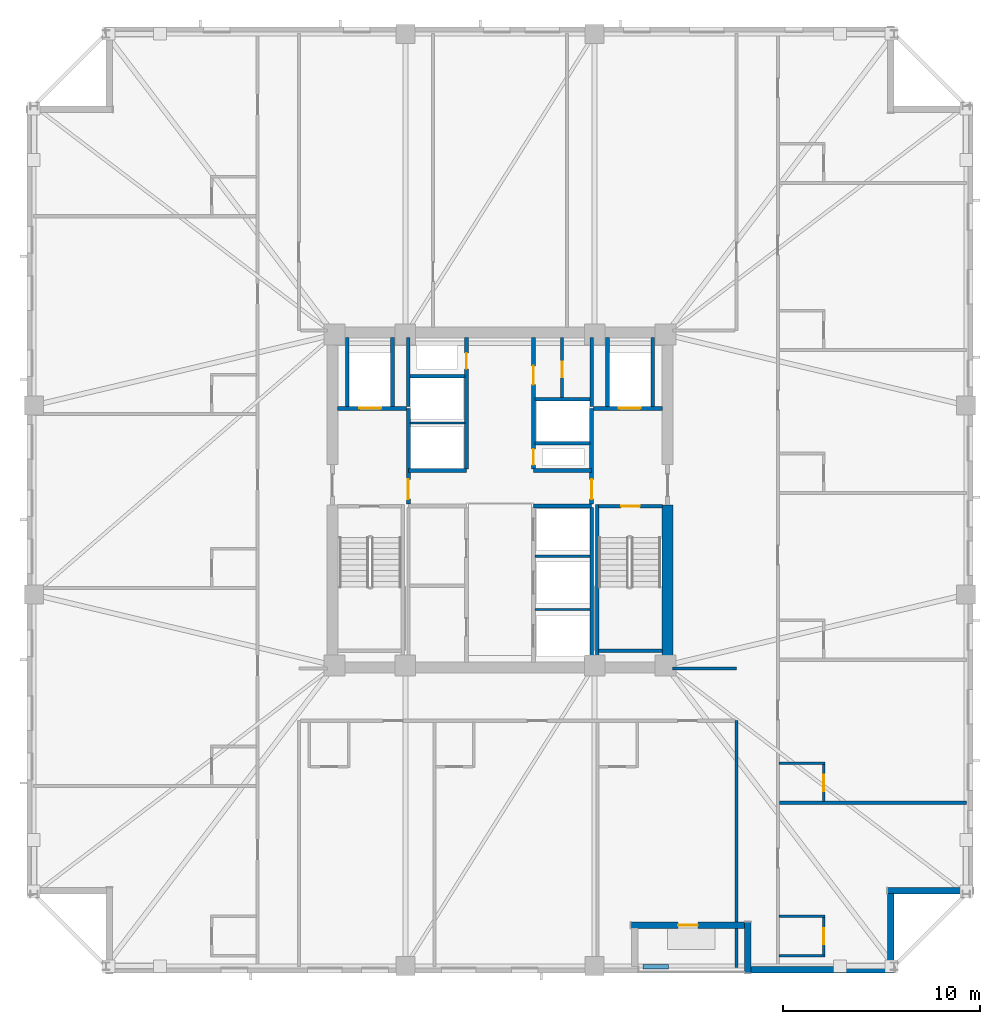
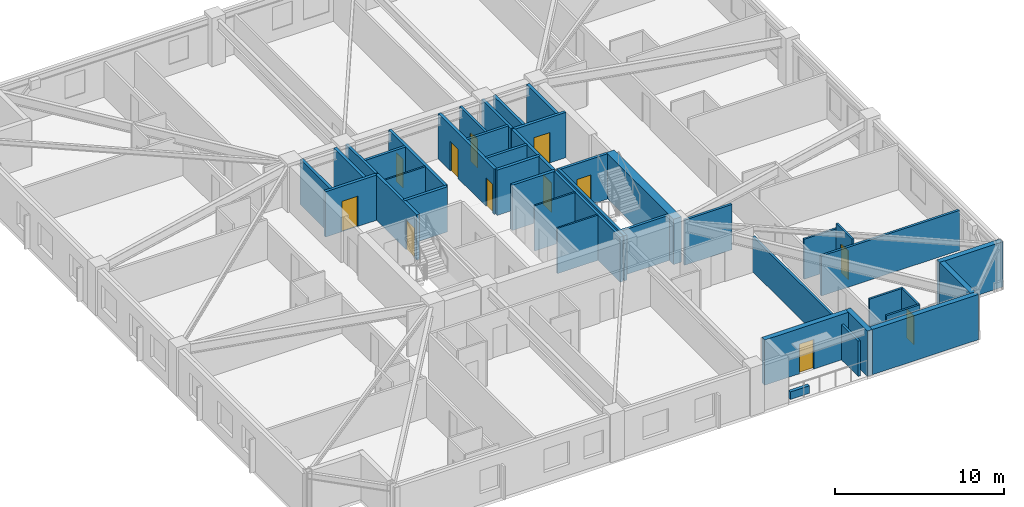
# One storey, part 4 of 11: 41 walls, 12 doors, 12 openings.
"""IFC4 building model written with IfcOpenShell, lengths in metres."""

from ifc_helpers import new_model, si_unit, direction, frame, frame_2d, origin, place, context, subcontext, project, spatial, rectangle, extrude, material, layer, layer_set, type_object, element, fill, save


model = new_model("IFC4")

# Units and contexts
model_context = context("Model", 3, precision=1e-05, world=origin(), true_north=direction((0.0, 1.0)))
body_context = subcontext(model_context, "Body", "Model", "MODEL_VIEW")
ifc_project = project(units=[si_unit("LENGTHUNIT", "METRE"), si_unit("AREAUNIT", "SQUARE_METRE"), si_unit("VOLUMEUNIT", "CUBIC_METRE"), si_unit("PLANEANGLEUNIT", "RADIAN"), si_unit("MASSUNIT", "GRAM", prefix="KILO")], contexts=[model_context])

# Site, building, storey
site_placement = place(None, origin())
site = spatial("IfcSite", under=ifc_project, at=site_placement, CompositionType="ELEMENT")
building_placement = place(site_placement, origin())
building = spatial("IfcBuilding", under=site, at=building_placement, Name="Cairnveth Concourse Tower", CompositionType="ELEMENT")
storey_placement = place(building_placement, frame((0.0, 0.0, 169.0)))
storey = spatial("IfcBuildingStorey", under=building, at=storey_placement, Name="L46", CompositionType="ELEMENT", Elevation=169.0)

# Wall, opening, door
ifc_material_1 = material(Name="Gypsum Plasterboard Partition", Category="gypsum")
ifc_layer_1 = layer(ifc_material_1, 0.159912109375)
ifc_layer_set_1 = layer_set([ifc_layer_1], Name="Gypsum Plasterboard Partition")
wall_type_1 = type_object("IfcWallType", Name="ACOUSTIC PARTY WALL 180", PredefinedType="PARTITIONING", material=ifc_layer_set_1)
wall_1_placement = place(storey_placement, frame((55.14990234375, 44.195068359375, 0.0), z_axis=(0.0, 0.0, 1.0), x_axis=(0.0, 1.0, 0.0)))
wall_1 = element("IfcWall", 1, at=wall_1_placement, inside=storey, type_object=wall_type_1, Name="Interior Wall IW-L46-036", PredefinedType="PARTITIONING", context=body_context, shape_type="SweptSolid", body=[
    extrude(rectangle(XDim=3.044921875, YDim=0.159912109375, at=frame_2d((1.5224609375, 0.0))), origin(), (0.0, 0.0, 1.0), 3.280029296875),
])
opening_1_placement = place(wall_1_placement, frame((1.02490234375, 0.0, 0.0)))
opening_1 = element("IfcOpeningElement", 2, at=opening_1_placement, cuts=wall_1, Name="Opening ID23", PredefinedType="OPENING", context=body_context, shape_type="SweptSolid", body=[
    extrude(rectangle(XDim=0.800048828125, YDim=2.10009765625, at=frame_2d((0.39990234375, 1.050048828125))), frame((0.0, 0.08984375, 0.0), z_axis=(0.0, -1.0, 0.0), x_axis=(1.0, 0.0, 0.0)), (0.0, 0.0, 1.0), 0.179931640625),
])
ifc_material_2 = material(Name="Steel Grade 350", Category="steel")
door_type_1 = type_object("IfcDoorType", Name="CORE SERVICE DOOR 800X2100", OperationType="NOTDEFINED", PredefinedType="DOOR", material=ifc_material_2)
door_1_placement = place(opening_1_placement, origin())
door_1 = element("IfcDoor", 3, at=door_1_placement, inside=storey, type_object=door_type_1, Name="NE Linen Closet Door L46", OperationType="SINGLE_SWING_LEFT", OverallHeight=2.10009765625, OverallWidth=0.800048828125, PredefinedType="DOOR", context=body_context, shape_type="SweptSolid", body=[
    extrude(rectangle(XDim=0.800048828125, YDim=2.10009765625, at=frame_2d((0.39990234375, 1.050048828125))), frame((0.0, 0.02490234375, 0.0), z_axis=(0.0, -1.0, 0.0), x_axis=(1.0, 0.0, 0.0)), (0.0, 0.0, 1.0), 0.050048828125),
])
fill(opening_1, door_1)

# Walls
wall_2_placement = place(storey_placement, frame((64.0, 15.27001953125, 0.0), z_axis=(0.0, 0.0, 1.0), x_axis=(0.0, 1.0, 0.0)))
element("IfcWall", 4, at=wall_2_placement, inside=storey, type_object=wall_type_1, Name="Interior Wall IW-L46-043", PredefinedType="PARTITIONING", context=body_context, shape_type="SweptSolid", body=[
    extrude(rectangle(XDim=12.530029296875, YDim=0.159912109375, at=frame_2d((6.26513671875, 0.0))), origin(), (0.0, 0.0, 1.0), 2.554931640625),
])
wall_3_placement = place(storey_placement, frame((60.764892578125, 30.449951171875, 0.0), z_axis=(0.0, 0.0, 1.0), x_axis=(1.0, 0.0, 0.0)))
element("IfcWall", 5, at=wall_3_placement, inside=storey, type_object=wall_type_1, Name="Interior Wall IW-L46-045", PredefinedType="PARTITIONING", context=body_context, shape_type="SweptSolid", body=[
    extrude(rectangle(XDim=3.235107421875, YDim=0.159912109375, at=frame_2d((1.61767578125, 0.0))), origin(), (0.0, 0.0, 1.0), 3.280029296875),
])
wall_4_placement = place(storey_placement, frame((66.179931640625, 23.63916015625, 0.0), z_axis=(0.0, 0.0, 1.0), x_axis=(1.0, 0.0, 0.0)))
element("IfcWall", 6, at=wall_4_placement, inside=storey, type_object=wall_type_1, Name="Interior Wall IW-L46-077", PredefinedType="PARTITIONING", context=body_context, shape_type="SweptSolid", body=[
    extrude(rectangle(XDim=9.4951171875, YDim=0.159912109375, at=frame_2d((4.74755859375, 0.0))), origin(), (0.0, 0.0, 1.0), 2.89599609375),
])
ifc_material_3 = material(Name="Concrete N80 (80 MPa)", Category="concrete")
ifc_layer_2 = layer(ifc_material_3, 0.550048828125)
ifc_layer_set_2 = layer_set([ifc_layer_2], Name="Concrete N80 (80 MPa)")
wall_type_2 = type_object("IfcWallType", Name="CORE SHEAR WALL 550", PredefinedType="SHEAR", material=ifc_layer_set_2)
wall_5_placement = place(storey_placement, frame((60.5, 30.764892578125, 0.0), z_axis=(0.0, 0.0, 1.0), x_axis=(0.0, 1.0, 0.0)))
element("IfcWall", 7, at=wall_5_placement, inside=storey, type_object=wall_type_2, Name="Core East Shear Wall S L46", PredefinedType="SHEAR", context=body_context, shape_type="SweptSolid", body=[
    extrude(rectangle(XDim=7.985107421875, YDim=0.550048828125, at=frame_2d((3.99267578125, 0.0))), origin(), (0.0, 0.0, 1.0), 3.280029296875),
])
ifc_material_4 = material(Name="Concrete N50 (50 MPa)", Category="concrete")
ifc_layer_3 = layer(ifc_material_4, 0.179931640625)
ifc_layer_set_3 = layer_set([ifc_layer_3], Name="Concrete N50 (50 MPa)")
wall_type_3 = type_object("IfcWallType", Name="FIRE SHAFT WALL 180", PredefinedType="SOLIDWALL", material=ifc_layer_set_3)
wall_6_placement = place(storey_placement, frame((56.64990234375, 30.760009765625, 0.0), z_axis=(0.0, 0.0, 1.0), x_axis=(0.0, 1.0, 0.0)))
element("IfcWall", 8, at=wall_6_placement, inside=storey, type_object=wall_type_3, Name="Interior Wall IW-L46-027", PredefinedType="SOLIDWALL", context=body_context, shape_type="SweptSolid", body=[
    extrude(rectangle(XDim=7.85498046875, YDim=0.179931640625, at=frame_2d((3.927490234375, 0.0))), origin(), (0.0, 0.0, 1.0), 3.280029296875),
])
wall_7_placement = place(storey_placement, frame((47.35009765625, 43.735107421875, 0.0), z_axis=(0.0, 0.0, 1.0), x_axis=(0.0, 1.0, 0.0)))
element("IfcWall", 9, at=wall_7_placement, inside=storey, type_object=wall_type_3, Name="Interior Wall IW-L46-030", PredefinedType="SOLIDWALL", context=body_context, shape_type="SweptSolid", body=[
    extrude(rectangle(XDim=3.5048828125, YDim=0.179931640625, at=frame_2d((1.75244140625, 0.0))), origin(), (0.0, 0.0, 1.0), 3.280029296875),
])
wall_8_placement = place(storey_placement, frame((47.425048828125, 45.280029296875, 0.0), z_axis=(0.0, 0.0, 1.0), x_axis=(1.0, 0.0, 0.0)))
element("IfcWall", 10, at=wall_8_placement, inside=storey, type_object=wall_type_3, Name="Interior Wall IW-L46-032", PredefinedType="SOLIDWALL", context=body_context, shape_type="SweptSolid", body=[
    extrude(rectangle(XDim=2.7900390625, YDim=0.179931640625, at=frame_2d((1.39501953125, 0.0))), origin(), (0.0, 0.0, 1.0), 3.280029296875),
])
wall_9_placement = place(storey_placement, frame((56.64990234375, 43.735107421875, 0.0), z_axis=(0.0, 0.0, 1.0), x_axis=(0.0, 1.0, 0.0)))
element("IfcWall", 11, at=wall_9_placement, inside=storey, type_object=wall_type_3, Name="Interior Wall IW-L46-033", PredefinedType="SOLIDWALL", context=body_context, shape_type="SweptSolid", body=[
    extrude(rectangle(XDim=3.5048828125, YDim=0.179931640625, at=frame_2d((1.75244140625, 0.0))), origin(), (0.0, 0.0, 1.0), 3.280029296875),
])
wall_10_placement = place(storey_placement, frame((53.784912109375, 41.8798828125, 0.0), z_axis=(0.0, 0.0, 1.0), x_axis=(1.0, 0.0, 0.0)))
element("IfcWall", 12, at=wall_10_placement, inside=storey, type_object=wall_type_3, Name="Interior Wall IW-L46-034", PredefinedType="SOLIDWALL", context=body_context, shape_type="SweptSolid", body=[
    extrude(rectangle(XDim=2.780029296875, YDim=0.179931640625, at=frame_2d((1.39013671875, 0.0))), origin(), (0.0, 0.0, 1.0), 3.280029296875),
])
wall_11_placement = place(storey_placement, frame((53.784912109375, 44.1201171875, 0.0), z_axis=(0.0, 0.0, 1.0), x_axis=(1.0, 0.0, 0.0)))
element("IfcWall", 13, at=wall_11_placement, inside=storey, type_object=wall_type_3, Name="Interior Wall IW-L46-035", PredefinedType="SOLIDWALL", context=body_context, shape_type="SweptSolid", body=[
    extrude(rectangle(XDim=2.7900390625, YDim=0.179931640625, at=frame_2d((1.39501953125, 0.0))), origin(), (0.0, 0.0, 1.0), 3.280029296875),
])

# Wall, opening, door
wall_12_placement = place(storey_placement, frame((57.0048828125, 38.68994140625, 0.0), z_axis=(0.0, 0.0, 1.0), x_axis=(1.0, 0.0, 0.0)))
wall_12 = element("IfcWall", 14, at=wall_12_placement, inside=storey, type_object=wall_type_3, Name="Stair ST-2 Shaft Wall NEAR L46", PredefinedType="SOLIDWALL", context=body_context, shape_type="SweptSolid", body=[
    extrude(rectangle(XDim=3.230224609375, YDim=0.179931640625, at=frame_2d((1.615234375, 0.0))), origin(), (0.0, 0.0, 1.0), 3.280029296875),
])
opening_2_placement = place(wall_12_placement, frame((1.139892578125, 0.0, 0.0)))
opening_2 = element("IfcOpeningElement", 15, at=opening_2_placement, cuts=wall_12, Name="Opening ID12", PredefinedType="OPENING", context=body_context, shape_type="SweptSolid", body=[
    extrude(rectangle(XDim=0.949951171875, YDim=2.14990234375, at=frame_2d((0.47509765625, 1.074951171875))), frame((0.0, 0.099853515625, 0.0), z_axis=(0.0, -1.0, 0.0), x_axis=(1.0, 0.0, 0.0)), (0.0, 0.0, 1.0), 0.199951171875),
])
door_type_2 = type_object("IfcDoorType", Name="FIRE STAIR DOOR 950X2150", OperationType="NOTDEFINED", PredefinedType="DOOR", material=ifc_material_2)
door_2_placement = place(opening_2_placement, origin())
door_2 = element("IfcDoor", 16, at=door_2_placement, inside=storey, type_object=door_type_2, Name="Stair ST-2 Fire Door L46", OperationType="SINGLE_SWING_RIGHT", OverallHeight=2.14990234375, OverallWidth=0.949951171875, PredefinedType="DOOR", context=body_context, shape_type="SweptSolid", body=[
    extrude(rectangle(XDim=0.949951171875, YDim=2.14990234375, at=frame_2d((0.47509765625, 1.074951171875))), frame((0.0, 0.02490234375, 0.0), z_axis=(0.0, -1.0, 0.0), x_axis=(1.0, 0.0, 0.0)), (0.0, 0.0, 1.0), 0.050048828125),
])
fill(opening_2, door_2)

# Walls
wall_13_placement = place(storey_placement, frame((57.0048828125, 31.360107421875, 0.0), z_axis=(0.0, 0.0, 1.0), x_axis=(1.0, 0.0, 0.0)))
element("IfcWall", 17, at=wall_13_placement, inside=storey, type_object=wall_type_3, Name="Stair ST-2 Shaft Wall FAR L46", PredefinedType="SOLIDWALL", context=body_context, shape_type="SweptSolid", body=[
    extrude(rectangle(XDim=3.230224609375, YDim=0.179931640625, at=frame_2d((1.615234375, 0.0))), origin(), (0.0, 0.0, 1.0), 3.280029296875),
])
wall_14_placement = place(storey_placement, frame((56.929931640625, 38.780029296875, 0.0), z_axis=(0.0, 0.0, 1.0), x_axis=(0.0, -1.0, 0.0)))
element("IfcWall", 18, at=wall_14_placement, inside=storey, type_object=wall_type_3, Name="Stair ST-2 Shaft Wall LEFT L46", PredefinedType="SOLIDWALL", context=body_context, shape_type="SweptSolid", body=[
    extrude(rectangle(XDim=8.01708984375, YDim=0.179931640625, at=frame_2d((4.008544921875, 0.0))), origin(), (0.0, 0.0, 1.0), 3.280029296875),
])
ifc_layer_4 = layer(ifc_material_4, 0.199951171875)
ifc_layer_set_4 = layer_set([ifc_layer_4], Name="Concrete N50 (50 MPa)")
wall_type_4 = type_object("IfcWallType", Name="FIRE SHAFT WALL 200", PredefinedType="SOLIDWALL", material=ifc_layer_set_4)
for number, where, z_axis, x_axis, name in (
    (19, (47.35009765625, 40.5, 0.0), (0.0, 0.0, 1.0), (1.0, 0.0, 0.0), "Interior Wall IW-L46-008"),
    (20, (53.699951171875, 38.699951171875, 0.0), (0.0, 0.0, 1.0), (1.0, 0.0, 0.0), "Interior Wall IW-L46-009"),
    (21, (53.699951171875, 40.5, 0.0), (0.0, 0.0, 1.0), (1.0, 0.0, 0.0), "Interior Wall IW-L46-010"),
):
    element("IfcWall", number, at=place(storey_placement, frame(where, z_axis=z_axis, x_axis=x_axis)), inside=storey, type_object=wall_type_4, Name=name, PredefinedType="SOLIDWALL", context=body_context, shape_type="SweptSolid", body=[
        extrude(rectangle(XDim=2.949951171875, YDim=0.199951171875, at=frame_2d((1.47509765625, 0.0))), origin(), (0.0, 0.0, 1.0), 3.280029296875),
    ])

# Wall, opening, door
wall_15_placement = place(storey_placement, frame((50.300048828125, 40.5849609375, 0.0), z_axis=(0.0, 0.0, 1.0), x_axis=(0.0, 1.0, 0.0)))
wall_15 = element("IfcWall", 22, at=wall_15_placement, inside=storey, type_object=wall_type_4, Name="Interior Wall IW-L46-013", PredefinedType="SOLIDWALL", context=body_context, shape_type="SweptSolid", body=[
    extrude(rectangle(XDim=6.655029296875, YDim=0.199951171875, at=frame_2d((3.32763671875, 0.0))), origin(), (0.0, 0.0, 1.0), 3.280029296875),
])
opening_3_placement = place(wall_15_placement, frame((5.06494140625, 0.0, 0.0)))
opening_3 = element("IfcOpeningElement", 23, at=opening_3_placement, cuts=wall_15, Name="Opening ID24", PredefinedType="OPENING", context=body_context, shape_type="SweptSolid", body=[
    extrude(rectangle(XDim=0.800048828125, YDim=2.080078125, at=frame_2d((0.39990234375, 1.0400390625))), frame((0.0, 0.10986328125, 0.0), z_axis=(0.0, -1.0, 0.0), x_axis=(1.0, 0.0, 0.0)), (0.0, 0.0, 1.0), 0.219970703125),
])
door_type_3 = type_object("IfcDoorType", Name="RISER ACCESS DOOR 800X2100", OperationType="NOTDEFINED", PredefinedType="DOOR", material=ifc_material_2)
door_3_placement = place(opening_3_placement, origin())
door_3 = element("IfcDoor", 24, at=door_3_placement, inside=storey, type_object=door_type_3, Name="NW Electrical Riser Access Door L46", OperationType="SINGLE_SWING_RIGHT", OverallHeight=2.080078125, OverallWidth=0.800048828125, PredefinedType="DOOR", context=body_context, shape_type="SweptSolid", body=[
    extrude(rectangle(XDim=0.800048828125, YDim=2.080078125, at=frame_2d((0.39990234375, 1.0400390625))), frame((0.0, 0.02490234375, 0.0), z_axis=(0.0, -1.0, 0.0), x_axis=(1.0, 0.0, 0.0)), (0.0, 0.0, 1.0), 0.050048828125),
])
fill(opening_3, door_3)

# Wall, openings, doors
wall_16_placement = place(storey_placement, frame((53.699951171875, 40.5849609375, 0.0), z_axis=(0.0, 0.0, 1.0), x_axis=(0.0, 1.0, 0.0)))
wall_16 = element("IfcWall", 25, at=wall_16_placement, inside=storey, type_object=wall_type_4, Name="Interior Wall IW-L46-014", PredefinedType="SOLIDWALL", context=body_context, shape_type="SweptSolid", body=[
    extrude(rectangle(XDim=6.655029296875, YDim=0.199951171875, at=frame_2d((3.32763671875, 0.0))), origin(), (0.0, 0.0, 1.0), 3.280029296875),
])
opening_4_placement = place(wall_16_placement, frame((0.195068359375, 0.0, 0.0)))
opening_4 = element("IfcOpeningElement", 26, at=opening_4_placement, cuts=wall_16, Name="Opening ID24", PredefinedType="OPENING", context=body_context, shape_type="SweptSolid", body=[
    extrude(rectangle(XDim=0.800048828125, YDim=2.080078125, at=frame_2d((0.39990234375, 1.0400390625))), frame((0.0, 0.10986328125, 0.0), z_axis=(0.0, -1.0, 0.0), x_axis=(1.0, 0.0, 0.0)), (0.0, 0.0, 1.0), 0.219970703125),
])
opening_5_placement = place(wall_16_placement, frame((4.264892578125, 0.0, 0.0)))
opening_5 = element("IfcOpeningElement", 27, at=opening_5_placement, cuts=wall_16, Name="Opening ID25", PredefinedType="OPENING", context=body_context, shape_type="SweptSolid", body=[
    extrude(rectangle(XDim=0.949951171875, YDim=2.1201171875, at=frame_2d((0.47509765625, 1.06005859375))), frame((0.0, 0.10986328125, 0.0), z_axis=(0.0, -1.0, 0.0), x_axis=(1.0, 0.0, 0.0)), (0.0, 0.0, 1.0), 0.219970703125),
])
door_type_4 = type_object("IfcDoorType", Name="CORE ACCESSIBLE FIRE DOOR 950X2120", OperationType="NOTDEFINED", PredefinedType="DOOR", material=ifc_material_2)
door_4_placement = place(opening_5_placement, origin())
door_4 = element("IfcDoor", 28, at=door_4_placement, inside=storey, type_object=door_type_4, Name="Core NE Restroom Door L46", OperationType="SINGLE_SWING_RIGHT", OverallHeight=2.1201171875, OverallWidth=0.949951171875, PredefinedType="DOOR", context=body_context, shape_type="SweptSolid", body=[
    extrude(rectangle(XDim=0.949951171875, YDim=2.1201171875, at=frame_2d((0.47509765625, 1.06005859375))), frame((0.0, 0.02490234375, 0.0), z_axis=(0.0, -1.0, 0.0), x_axis=(1.0, 0.0, 0.0)), (0.0, 0.0, 1.0), 0.050048828125),
])
fill(opening_5, door_4)
door_5_placement = place(opening_4_placement, origin())
door_5 = element("IfcDoor", 29, at=door_5_placement, inside=storey, type_object=door_type_3, Name="Hydraulic Riser Door L46", OperationType="SINGLE_SWING_LEFT", OverallHeight=2.080078125, OverallWidth=0.800048828125, PredefinedType="DOOR", context=body_context, shape_type="SweptSolid", body=[
    extrude(rectangle(XDim=0.800048828125, YDim=2.080078125, at=frame_2d((0.39990234375, 1.0400390625))), frame((0.0, 0.02490234375, 0.0), z_axis=(0.0, -1.0, 0.0), x_axis=(1.0, 0.0, 0.0)), (0.0, 0.0, 1.0), 0.050048828125),
])
fill(opening_4, door_5)

# Wall, opening, door
wall_17_placement = place(storey_placement, frame((47.35009765625, 38.784912109375, 0.0), z_axis=(0.0, 0.0, 1.0), x_axis=(0.0, 1.0, 0.0)))
wall_17 = element("IfcWall", 30, at=wall_17_placement, inside=storey, type_object=wall_type_4, Name="Interior Wall IW-L46-016", PredefinedType="SOLIDWALL", context=body_context, shape_type="SweptSolid", body=[
    extrude(rectangle(XDim=4.864990234375, YDim=0.199951171875, at=frame_2d((2.4326171875, 0.0))), origin(), (0.0, 0.0, 1.0), 3.280029296875),
])
opening_6_placement = place(wall_17_placement, frame((0.264892578125, 0.0, 0.0)))
opening_6 = element("IfcOpeningElement", 31, at=opening_6_placement, cuts=wall_17, Name="Opening ID07", PredefinedType="OPENING", context=body_context, shape_type="SweptSolid", body=[
    extrude(rectangle(XDim=1.0, YDim=2.14990234375, at=frame_2d((0.5, 1.074951171875))), frame((0.0, 0.10986328125, 0.0), z_axis=(0.0, -1.0, 0.0), x_axis=(1.0, 0.0, 0.0)), (0.0, 0.0, 1.0), 0.219970703125),
])
door_type_5 = type_object("IfcDoorType", Name="FIRE CORRIDOR DOOR 1000X2150", OperationType="NOTDEFINED", PredefinedType="DOOR", material=ifc_material_2)
door_6_placement = place(opening_6_placement, origin())
door_6 = element("IfcDoor", 32, at=door_6_placement, inside=storey, type_object=door_type_5, Name="FF Lobby West to Lift Lobby Door L46", OperationType="SINGLE_SWING_RIGHT", OverallHeight=2.14990234375, OverallWidth=1.0, PredefinedType="DOOR", context=body_context, shape_type="SweptSolid", body=[
    extrude(rectangle(XDim=1.0, YDim=2.14990234375, at=frame_2d((0.5, 1.074951171875))), frame((0.0, 0.02490234375, 0.0), z_axis=(0.0, -1.0, 0.0), x_axis=(1.0, 0.0, 0.0)), (0.0, 0.0, 1.0), 0.050048828125),
])
fill(opening_6, door_6)

wall_18_placement = place(storey_placement, frame((43.760009765625, 43.64990234375, 0.0), z_axis=(0.0, 0.0, 1.0), x_axis=(1.0, 0.0, 0.0)))
wall_18 = element("IfcWall", 33, at=wall_18_placement, inside=storey, type_object=wall_type_4, Name="Interior Wall IW-L46-017", PredefinedType="SOLIDWALL", context=body_context, shape_type="SweptSolid", body=[
    extrude(rectangle(XDim=3.5048828125, YDim=0.199951171875, at=frame_2d((1.75244140625, 0.0))), origin(), (0.0, 0.0, 1.0), 3.280029296875),
])
opening_7_placement = place(wall_18_placement, frame((1.110107421875, 0.0, 0.0)))
opening_7 = element("IfcOpeningElement", 34, at=opening_7_placement, cuts=wall_18, Name="Opening LD-1", PredefinedType="OPENING", context=body_context, shape_type="SweptSolid", body=[
    extrude(rectangle(XDim=1.10009765625, YDim=2.199951171875, at=frame_2d((0.550048828125, 1.10009765625))), frame((0.0, 0.10986328125, 0.0), z_axis=(0.0, -1.0, 0.0), x_axis=(1.0, 0.0, 0.0)), (0.0, 0.0, 1.0), 0.219970703125),
])
ifc_material_5 = material(Name="Architectural Bronze Anodised Aluminium 6063-T6", Category="aluminium")
door_type_6 = type_object("IfcDoorType", Name="LIFT LANDING DOOR 1100X2200", OperationType="SLIDING_TO_LEFT", PredefinedType="DOOR", material=ifc_material_5)
door_7_placement = place(opening_7_placement, origin())
door_7 = element("IfcDoor", 35, at=door_7_placement, inside=storey, type_object=door_type_6, Name="Lift FFL1 Landing Door L46", OperationType="SLIDING_TO_LEFT", OverallHeight=2.199951171875, OverallWidth=1.10009765625, PredefinedType="DOOR", context=body_context, shape_type="SweptSolid", body=[
    extrude(rectangle(XDim=1.10009765625, YDim=2.199951171875, at=frame_2d((0.550048828125, 1.10009765625))), frame((0.0, 0.02490234375, 0.0), z_axis=(0.0, -1.0, 0.0), x_axis=(1.0, 0.0, 0.0)), (0.0, 0.0, 1.0), 0.050048828125),
])
fill(opening_7, door_7)

# Walls
for number, where, z_axis, x_axis, name in (
    (36, (46.550048828125, 43.735107421875, 0.0), (0.0, 0.0, 1.0), (0.0, 1.0, 0.0), "Interior Wall IW-L46-018"),
    (37, (44.25, 43.735107421875, 0.0), (0.0, 0.0, 1.0), (0.0, 1.0, 0.0), "Interior Wall IW-L46-019"),
):
    element("IfcWall", number, at=place(storey_placement, frame(where, z_axis=z_axis, x_axis=x_axis)), inside=storey, type_object=wall_type_4, Name=name, PredefinedType="SOLIDWALL", context=body_context, shape_type="SweptSolid", body=[
        extrude(rectangle(XDim=3.5048828125, YDim=0.199951171875, at=frame_2d((1.75244140625, 0.0))), origin(), (0.0, 0.0, 1.0), 3.280029296875),
    ])

# Wall, opening, door
wall_19_placement = place(storey_placement, frame((56.64990234375, 38.784912109375, 0.0), z_axis=(0.0, 0.0, 1.0), x_axis=(0.0, 1.0, 0.0)))
wall_19 = element("IfcWall", 38, at=wall_19_placement, inside=storey, type_object=wall_type_4, Name="Interior Wall IW-L46-021", PredefinedType="SOLIDWALL", context=body_context, shape_type="SweptSolid", body=[
    extrude(rectangle(XDim=4.864990234375, YDim=0.199951171875, at=frame_2d((2.4326171875, 0.0))), origin(), (0.0, 0.0, 1.0), 3.280029296875),
])
opening_8_placement = place(wall_19_placement, frame((0.264892578125, 0.0, 0.0)))
opening_8 = element("IfcOpeningElement", 39, at=opening_8_placement, cuts=wall_19, Name="Opening ID07", PredefinedType="OPENING", context=body_context, shape_type="SweptSolid", body=[
    extrude(rectangle(XDim=1.0, YDim=2.14990234375, at=frame_2d((0.5, 1.074951171875))), frame((0.0, 0.10986328125, 0.0), z_axis=(0.0, -1.0, 0.0), x_axis=(1.0, 0.0, 0.0)), (0.0, 0.0, 1.0), 0.219970703125),
])
door_8_placement = place(opening_8_placement, origin())
door_8 = element("IfcDoor", 40, at=door_8_placement, inside=storey, type_object=door_type_5, Name="FF Lobby East to Lift Lobby Door L46", OperationType="SINGLE_SWING_LEFT", OverallHeight=2.14990234375, OverallWidth=1.0, PredefinedType="DOOR", context=body_context, shape_type="SweptSolid", body=[
    extrude(rectangle(XDim=1.0, YDim=2.14990234375, at=frame_2d((0.5, 1.074951171875))), frame((0.0, 0.02490234375, 0.0), z_axis=(0.0, -1.0, 0.0), x_axis=(1.0, 0.0, 0.0)), (0.0, 0.0, 1.0), 0.050048828125),
])
fill(opening_8, door_8)

wall_20_placement = place(storey_placement, frame((56.735107421875, 43.64990234375, 0.0), z_axis=(0.0, 0.0, 1.0), x_axis=(1.0, 0.0, 0.0)))
wall_20 = element("IfcWall", 41, at=wall_20_placement, inside=storey, type_object=wall_type_4, Name="Interior Wall IW-L46-022", PredefinedType="SOLIDWALL", context=body_context, shape_type="SweptSolid", body=[
    extrude(rectangle(XDim=3.5048828125, YDim=0.199951171875, at=frame_2d((1.75244140625, 0.0))), origin(), (0.0, 0.0, 1.0), 3.280029296875),
])
opening_9_placement = place(wall_20_placement, frame((1.294921875, 0.0, 0.0)))
opening_9 = element("IfcOpeningElement", 42, at=opening_9_placement, cuts=wall_20, Name="Opening LD-1", PredefinedType="OPENING", context=body_context, shape_type="SweptSolid", body=[
    extrude(rectangle(XDim=1.10009765625, YDim=2.199951171875, at=frame_2d((0.550048828125, 1.10009765625))), frame((0.0, 0.10986328125, 0.0), z_axis=(0.0, -1.0, 0.0), x_axis=(1.0, 0.0, 0.0)), (0.0, 0.0, 1.0), 0.219970703125),
])
door_9_placement = place(opening_9_placement, origin())
door_9 = element("IfcDoor", 43, at=door_9_placement, inside=storey, type_object=door_type_6, Name="Lift FFL2 Landing Door L46", OperationType="SLIDING_TO_LEFT", OverallHeight=2.199951171875, OverallWidth=1.10009765625, PredefinedType="DOOR", context=body_context, shape_type="SweptSolid", body=[
    extrude(rectangle(XDim=1.10009765625, YDim=2.199951171875, at=frame_2d((0.550048828125, 1.10009765625))), frame((0.0, 0.02490234375, 0.0), z_axis=(0.0, -1.0, 0.0), x_axis=(1.0, 0.0, 0.0)), (0.0, 0.0, 1.0), 0.050048828125),
])
fill(opening_9, door_9)

# Walls
for number, where, z_axis, x_axis, name in (
    (44, (57.449951171875, 43.735107421875, 0.0), (0.0, 0.0, 1.0), (0.0, 1.0, 0.0), "Interior Wall IW-L46-023"),
    (45, (59.75, 43.735107421875, 0.0), (0.0, 0.0, 1.0), (0.0, 1.0, 0.0), "Interior Wall IW-L46-024"),
):
    element("IfcWall", number, at=place(storey_placement, frame(where, z_axis=z_axis, x_axis=x_axis)), inside=storey, type_object=wall_type_4, Name=name, PredefinedType="SOLIDWALL", context=body_context, shape_type="SweptSolid", body=[
        extrude(rectangle(XDim=3.5048828125, YDim=0.199951171875, at=frame_2d((1.75244140625, 0.0))), origin(), (0.0, 0.0, 1.0), 3.280029296875),
    ])
ifc_layer_5 = layer(ifc_material_1, 0.110107421875)
ifc_layer_set_5 = layer_set([ifc_layer_5], Name="Gypsum Plasterboard Partition")
wall_type_5 = type_object("IfcWallType", Name="SHAFT DIVIDER WALL 140", PredefinedType="PARTITIONING", material=ifc_layer_set_5)
for number, where, z_axis, x_axis, name in (
    (46, (53.784912109375, 33.449951171875, 0.0), (0.0, 0.0, 1.0), (1.0, 0.0, 0.0), "Interior Wall IW-L46-028"),
    (47, (53.784912109375, 36.14990234375, 0.0), (0.0, 0.0, 1.0), (1.0, 0.0, 0.0), "Interior Wall IW-L46-029"),
):
    element("IfcWall", number, at=place(storey_placement, frame(where, z_axis=z_axis, x_axis=x_axis)), inside=storey, type_object=wall_type_5, Name=name, PredefinedType="PARTITIONING", context=body_context, shape_type="SweptSolid", body=[
        extrude(rectangle(XDim=2.7900390625, YDim=0.110107421875, at=frame_2d((1.39501953125, 0.0))), origin(), (0.0, 0.0, 1.0), 3.280029296875),
    ])
wall_21_placement = place(storey_placement, frame((47.43505859375, 42.89990234375, 0.0), z_axis=(0.0, 0.0, 1.0), x_axis=(1.0, 0.0, 0.0)))
element("IfcWall", 48, at=wall_21_placement, inside=storey, type_object=wall_type_5, Name="Interior Wall IW-L46-031", PredefinedType="PARTITIONING", context=body_context, shape_type="SweptSolid", body=[
    extrude(rectangle(XDim=2.780029296875, YDim=0.110107421875, at=frame_2d((1.39013671875, 0.0))), origin(), (0.0, 0.0, 1.0), 3.280029296875),
])
ifc_material_6 = material(Name="Dressed Melbourne Bluestone Cladding", Category="masonry")
ifc_layer_6 = layer(ifc_material_6, 0.219970703125)
ifc_layer_set_6 = layer_set([ifc_layer_6], Name="Dressed Melbourne Bluestone Cladding")
wall_type_6 = type_object("IfcWallType", Name="TERRACE PLANTER CURB WALL 220", PredefinedType="PARAPET", material=ifc_layer_set_6)
wall_22_placement = place(storey_placement, frame((59.25, 15.320068359375, 0.0), z_axis=(0.0, 0.0, 1.0), x_axis=(1.0, 0.0, 0.0)))
element("IfcWall", 49, at=wall_22_placement, inside=storey, type_object=wall_type_6, Name="Exterior Wall PLNT-L46-TERR", PredefinedType="PARAPET", context=body_context, shape_type="SweptSolid", body=[
    extrude(rectangle(XDim=1.300048828125, YDim=0.219970703125, at=frame_2d((0.64990234375, 0.0))), origin(), (0.0, 0.0, 1.0), 0.550048828125),
])
ifc_layer_7 = layer(ifc_material_1, 0.1298828125)
ifc_layer_set_7 = layer_set([ifc_layer_7], Name="Gypsum Plasterboard Partition")
wall_type_7 = type_object("IfcWallType", Name="WET AREA PARTITION 140", PredefinedType="PLUMBINGWALL", material=ifc_layer_set_7)
for number, where, z_axis, x_axis, name in (
    (50, (66.1650390625, 15.8701171875, 0.0), (0.0, 0.0, 1.0), (1.0, 0.0, 0.0), "Interior Wall IW-L46-074"),
    (51, (66.1650390625, 17.8701171875, 0.0), (0.0, 0.0, 1.0), (1.0, 0.0, 0.0), "Interior Wall IW-L46-075"),
):
    element("IfcWall", number, at=place(storey_placement, frame(where, z_axis=z_axis, x_axis=x_axis)), inside=storey, type_object=wall_type_7, Name=name, PredefinedType="PLUMBINGWALL", context=body_context, shape_type="SweptSolid", body=[
        extrude(rectangle(XDim=2.31494140625, YDim=0.1298828125, at=frame_2d((1.157470703125, 0.0))), origin(), (0.0, 0.0, 1.0), 3.280029296875),
    ])

# Wall, opening, door
wall_23_placement = place(storey_placement, frame((68.429931640625, 15.919921875, 0.0), z_axis=(0.0, 0.0, 1.0), x_axis=(0.0, 1.0, 0.0)))
wall_23 = element("IfcWall", 52, at=wall_23_placement, inside=storey, type_object=wall_type_7, Name="Interior Wall IW-L46-076", PredefinedType="PLUMBINGWALL", context=body_context, shape_type="SweptSolid", body=[
    extrude(rectangle(XDim=1.900146484375, YDim=0.1298828125, at=frame_2d((0.9501953125, 0.0))), origin(), (0.0, 0.0, 1.0), 3.280029296875),
])
opening_10_placement = place(wall_23_placement, frame((0.5400390625, 0.0, 0.0)))
opening_10 = element("IfcOpeningElement", 53, at=opening_10_placement, cuts=wall_23, Name="Opening ID22", PredefinedType="OPENING", context=body_context, shape_type="SweptSolid", body=[
    extrude(rectangle(XDim=0.820068359375, YDim=2.10009765625, at=frame_2d((0.41015625, 1.050048828125))), frame((0.0, 0.074951171875, 0.0), z_axis=(0.0, -1.0, 0.0), x_axis=(1.0, 0.0, 0.0)), (0.0, 0.0, 1.0), 0.14990234375),
])
ifc_material_7 = material(Name="Solid Core Hardwood Timber Leaf", Category="wood")
door_type_7 = type_object("IfcDoorType", Name="INTERIOR WC DOOR 820X2100", OperationType="NOTDEFINED", PredefinedType="DOOR", material=ifc_material_7)
door_10_placement = place(opening_10_placement, origin())
door_10 = element("IfcDoor", 54, at=door_10_placement, inside=storey, type_object=door_type_7, Name="En-Suite Door L46-E1", OperationType="SINGLE_SWING_LEFT", OverallHeight=2.10009765625, OverallWidth=0.820068359375, PredefinedType="DOOR", context=body_context, shape_type="SweptSolid", body=[
    extrude(rectangle(XDim=0.820068359375, YDim=2.10009765625, at=frame_2d((0.41015625, 1.050048828125))), frame((0.0, 0.02490234375, 0.0), z_axis=(0.0, -1.0, 0.0), x_axis=(1.0, 0.0, 0.0)), (0.0, 0.0, 1.0), 0.050048828125),
])
fill(opening_10, door_10)

# Wall
wall_24_placement = place(storey_placement, frame((66.1650390625, 25.63916015625, 0.0), z_axis=(0.0, 0.0, 1.0), x_axis=(1.0, 0.0, 0.0)))
element("IfcWall", 55, at=wall_24_placement, inside=storey, type_object=wall_type_7, Name="Interior Wall IW-L46-078", PredefinedType="PLUMBINGWALL", context=body_context, shape_type="SweptSolid", body=[
    extrude(rectangle(XDim=2.31494140625, YDim=0.1298828125, at=frame_2d((1.157470703125, 0.0))), origin(), (0.0, 0.0, 1.0), 2.89599609375),
])

# Wall, opening, door
wall_25_placement = place(storey_placement, frame((68.429931640625, 23.7041015625, 0.0), z_axis=(0.0, 0.0, 1.0), x_axis=(0.0, 1.0, 0.0)))
wall_25 = element("IfcWall", 56, at=wall_25_placement, inside=storey, type_object=wall_type_7, Name="Interior Wall IW-L46-079", PredefinedType="PLUMBINGWALL", context=body_context, shape_type="SweptSolid", body=[
    extrude(rectangle(XDim=1.885009765625, YDim=0.1298828125, at=frame_2d((0.9423828125, 0.0))), origin(), (0.0, 0.0, 1.0), 3.280029296875),
])
opening_11_placement = place(wall_25_placement, frame((0.52490234375, 0.0, 0.0)))
opening_11 = element("IfcOpeningElement", 57, at=opening_11_placement, cuts=wall_25, Name="Opening ID22", PredefinedType="OPENING", context=body_context, shape_type="SweptSolid", body=[
    extrude(rectangle(XDim=0.820068359375, YDim=2.10009765625, at=frame_2d((0.41015625, 1.050048828125))), frame((0.0, 0.074951171875, 0.0), z_axis=(0.0, -1.0, 0.0), x_axis=(1.0, 0.0, 0.0)), (0.0, 0.0, 1.0), 0.14990234375),
])
door_11_placement = place(opening_11_placement, origin())
door_11 = element("IfcDoor", 58, at=door_11_placement, inside=storey, type_object=door_type_7, Name="En-Suite Door L46-E2", OperationType="SINGLE_SWING_LEFT", OverallHeight=2.10009765625, OverallWidth=0.820068359375, PredefinedType="DOOR", context=body_context, shape_type="SweptSolid", body=[
    extrude(rectangle(XDim=0.820068359375, YDim=2.10009765625, at=frame_2d((0.41015625, 1.050048828125))), frame((0.0, 0.02490234375, 0.0), z_axis=(0.0, -1.0, 0.0), x_axis=(1.0, 0.0, 0.0)), (0.0, 0.0, 1.0), 0.050048828125),
])
fill(opening_11, door_11)

# Walls
ifc_material_8 = material(Name="Hawthorn Red-Ochre Fired Clay Brick Masonry", Category="masonry")
ifc_layer_8 = layer(ifc_material_8, 0.340087890625)
ifc_layer_set_8 = layer_set([ifc_layer_8], Name="Hawthorn Red-Ochre Fired Clay Brick Masonry")
wall_type_8 = type_object("IfcWallType", Name="ZONE 2 BRICK PIER SPANDREL WALL 340", PredefinedType="SOLIDWALL", material=ifc_layer_set_8)
wall_26_placement = place(storey_placement, frame((76.0, 19.169921875, 0.0), z_axis=(0.0, 0.0, 1.0), x_axis=(-1.0, 0.0, 0.0)))
element("IfcWall", 59, at=wall_26_placement, inside=storey, type_object=wall_type_8, Name="Exterior Wall EW-L46-S10", PredefinedType="SOLIDWALL", context=body_context, shape_type="SweptSolid", body=[
    extrude(rectangle(XDim=4.340087890625, YDim=0.340087890625, at=frame_2d((2.169921875, 0.0))), origin(), (0.0, 0.0, 1.0), 3.280029296875),
])
wall_27_placement = place(storey_placement, frame((71.830078125, 19.02197265625, 0.0), z_axis=(0.0, 0.0, 1.0), x_axis=(0.0, -1.0, 0.0)))
element("IfcWall", 60, at=wall_27_placement, inside=storey, type_object=wall_type_8, Name="Exterior Wall EW-L46-S11", PredefinedType="SOLIDWALL", context=body_context, shape_type="SweptSolid", body=[
    extrude(rectangle(XDim=3.703857421875, YDim=0.340087890625, at=frame_2d((1.85205078125, 0.0))), origin(), (0.0, 0.0, 1.0), 3.280029296875),
])
wall_28_placement = place(storey_placement, frame((72.0, 15.169921875, 0.0), z_axis=(0.0, 0.0, 1.0), x_axis=(-1.0, 0.0, 0.0)))
element("IfcWall", 61, at=wall_28_placement, inside=storey, type_object=wall_type_8, Name="Exterior Wall EW-L46-S12", PredefinedType="SOLIDWALL", context=body_context, shape_type="SweptSolid", body=[
    extrude(rectangle(XDim=7.281982421875, YDim=0.340087890625, at=frame_2d((3.64111328125, 0.0))), origin(), (0.0, 0.0, 1.0), 3.280029296875),
])
wall_29_placement = place(storey_placement, frame((64.570068359375, 15.0, 0.0), z_axis=(0.0, 0.0, 1.0), x_axis=(0.0, 1.0, 0.0)))
element("IfcWall", 62, at=wall_29_placement, inside=storey, type_object=wall_type_8, Name="Exterior Wall EW-L46-S13", PredefinedType="SOLIDWALL", context=body_context, shape_type="SweptSolid", body=[
    extrude(rectangle(XDim=2.590087890625, YDim=0.340087890625, at=frame_2d((1.294921875, 0.0))), origin(), (0.0, 0.0, 1.0), 3.280029296875),
])

# Wall, opening, door
wall_30_placement = place(storey_placement, frame((64.422119140625, 17.419921875, 0.0), z_axis=(0.0, 0.0, 1.0), x_axis=(-1.0, 0.0, 0.0)))
wall_30 = element("IfcWall", 63, at=wall_30_placement, inside=storey, type_object=wall_type_8, Name="Exterior Wall EW-L46-S14", PredefinedType="SOLIDWALL", context=body_context, shape_type="SweptSolid", body=[
    extrude(rectangle(XDim=5.76220703125, YDim=0.340087890625, at=frame_2d((2.881103515625, 0.0))), origin(), (0.0, 0.0, 1.0), 3.280029296875),
])
opening_12_placement = place(wall_30_placement, frame((2.381103515625, 0.0, 0.0)))
opening_12 = element("IfcOpeningElement", 64, at=opening_12_placement, cuts=wall_30, Name="Opening ED4", PredefinedType="OPENING", context=body_context, shape_type="SweptSolid", body=[
    extrude(rectangle(XDim=1.0, YDim=2.14990234375, at=frame_2d((0.5, 1.074951171875))), frame((0.0, 0.179931640625, 0.0), z_axis=(0.0, -1.0, 0.0), x_axis=(1.0, 0.0, 0.0)), (0.0, 0.0, 1.0), 0.360107421875),
])
door_type_8 = type_object("IfcDoorType", Name="TERRACE GLAZED DOOR 1000X2150", OperationType="NOTDEFINED", PredefinedType="DOOR", material=ifc_material_5)
door_12_placement = place(opening_12_placement, origin())
door_12 = element("IfcDoor", 65, at=door_12_placement, inside=storey, type_object=door_type_8, Name="Spiral Terrace Door L46", OperationType="SINGLE_SWING_LEFT", OverallHeight=2.14990234375, OverallWidth=1.0, PredefinedType="DOOR", context=body_context, shape_type="SweptSolid", body=[
    extrude(rectangle(XDim=1.0, YDim=2.14990234375, at=frame_2d((0.5, 1.074951171875))), frame((0.0, 0.02490234375, 0.0), z_axis=(0.0, -1.0, 0.0), x_axis=(1.0, 0.0, 0.0)), (0.0, 0.0, 1.0), 0.050048828125),
])
fill(opening_12, door_12)

save(model, "model.ifc")
